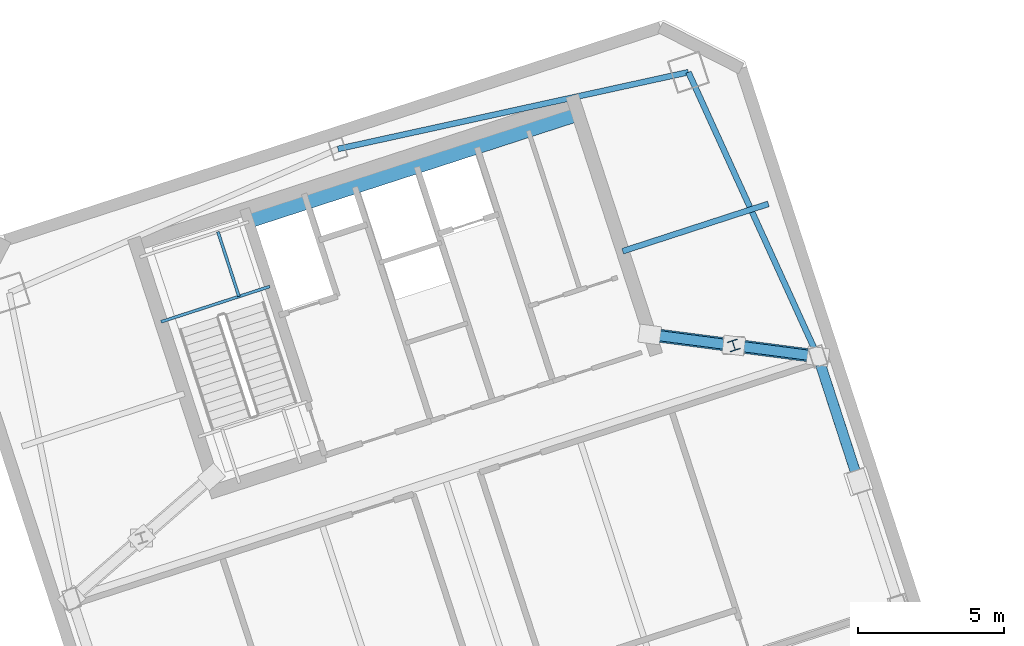
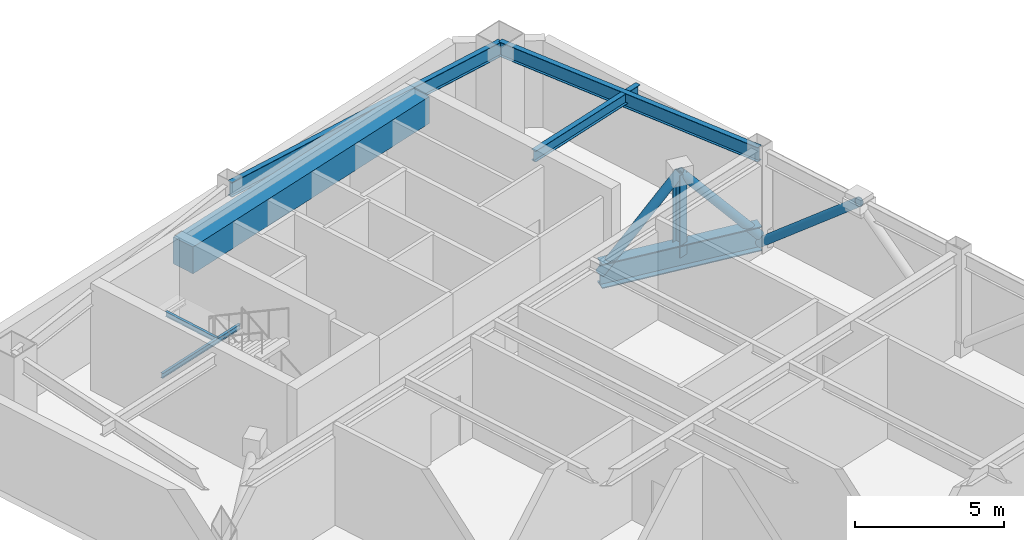
# One storey, part 8 of 17: 7 beams, 4 members.
"""IFC4 building model written with IfcOpenShell, lengths in metres."""

from ifc_helpers import new_model, si_unit, direction, frame, origin, origin_2d, place, context, subcontext, project, spatial, rectangle, hollow_circle, i_section, extrude, material, material_profile, profile_set, type_object, element, save


model = new_model("IFC4")

# Units and contexts
model_context = context("Model", 3, precision=1e-05, world=origin(), true_north=direction((0.0, 1.0)))
body_context = subcontext(model_context, "Body", "Model", "MODEL_VIEW")
ifc_project = project(units=[si_unit("LENGTHUNIT", "METRE"), si_unit("AREAUNIT", "SQUARE_METRE"), si_unit("VOLUMEUNIT", "CUBIC_METRE"), si_unit("PLANEANGLEUNIT", "RADIAN"), si_unit("MASSUNIT", "GRAM", prefix="KILO")], contexts=[model_context])

# Site, building, storey
site_placement = place(None, origin())
site = spatial("IfcSite", under=ifc_project, at=site_placement, CompositionType="ELEMENT")
building_placement = place(site_placement, origin())
building = spatial("IfcBuilding", under=site, at=building_placement, Name="Qiaolan Cultural Towers", CompositionType="ELEMENT")
storey_placement = place(building_placement, frame((0.0, 0.0, 230.0)))
storey = spatial("IfcBuildingStorey", under=building, at=storey_placement, Name="L62", CompositionType="ELEMENT", Elevation=230.0)

# Beams
ifc_material_1 = material(Name="Steel Q390GJB", Category="steel")
ifc_material_profile_1 = material_profile(ifc_material_1, i_section(OverallWidth=0.449951171875, OverallDepth=1.0, WebThickness=0.02392578125, FlangeThickness=0.0400390625, at=origin_2d()), Name="BH1000x450x24x40")
ifc_profile_set_1 = profile_set([ifc_material_profile_1], Name="Steel Q390GJB")
beam_type_1 = type_object("IfcBeamType", Name="BM-BH1000x450x24x40", PredefinedType="BEAM", material=ifc_profile_set_1)
beam_1_placement = place(storey_placement, frame((94.244873046875, 47.47119140625, 0.5), z_axis=(0.991526737582, -0.129902766179, 0.0), x_axis=(0.129902766179, 0.991526737582, 0.0)))
element("IfcBeam", 1, at=beam_1_placement, inside=storey, type_object=beam_type_1, Name="L62 T2 Outrigger Bottom Chord Girder EN", PredefinedType="BEAM", context=body_context, shape_type="SweptSolid", body=[
    extrude(i_section(OverallWidth=0.449951171875, OverallDepth=1.0, WebThickness=0.02392578125, FlangeThickness=0.0400390625, at=origin_2d()), origin(), (0.0, 0.0, 1.0), 5.81494140625),
])
ifc_material_2 = material(Name="Steel Q355B", Category="steel")
ifc_material_profile_2 = material_profile(ifc_material_2, i_section(OverallWidth=0.199951171875, OverallDepth=0.449951171875, WebThickness=0.009033203125, FlangeThickness=0.013916015625, at=origin_2d()), Name="HN450x200x9x14")
ifc_profile_set_2 = profile_set([ifc_material_profile_2], Name="Steel Q355B")
beam_type_2 = type_object("IfcBeamType", Name="BM-LNT-HN450x200x9x14", PredefinedType="LINTEL", material=ifc_profile_set_2)
beam_2_placement = place(storey_placement, frame((93.31787109375, 50.32421875, 3.9150390625), z_axis=(0.951060037126, 0.309006158161, 0.0), x_axis=(-0.309006158161, 0.951060037126, 0.0)))
element("IfcBeam", 2, at=beam_2_placement, inside=storey, type_object=beam_type_2, Name="L62 T2 Core Flank Tie Lintel EN", PredefinedType="LINTEL", context=body_context, shape_type="SweptSolid", body=[
    extrude(i_section(OverallWidth=0.199951171875, OverallDepth=0.449951171875, WebThickness=0.009033203125, FlangeThickness=0.013916015625, at=origin_2d()), origin(), (0.0, 0.0, 1.0), 5.25),
])
ifc_material_3 = material(Name="Concrete C50", Category="concrete")
ifc_material_profile_3 = material_profile(ifc_material_3, rectangle(XDim=0.89990234375, YDim=1.10009765625, at=origin_2d()), Name="RC900x1100")
ifc_profile_set_3 = profile_set([ifc_material_profile_3], Name="Concrete C50")
beam_type_3 = type_object("IfcBeamType", Name="BM-RC900x1100", PredefinedType="BEAM", material=ifc_profile_set_3)
beam_3_placement = place(storey_placement, frame((80.427978515625, 51.551025390625, 3.590087890625), z_axis=(0.951056266386, 0.309017763514, 0.0), x_axis=(-0.309017763514, 0.951056266386, 0.0)))
element("IfcBeam", 3, at=beam_3_placement, inside=storey, type_object=beam_type_3, Name="L62 T2 Core Header Girder N", PredefinedType="BEAM", context=body_context, shape_type="SweptSolid", body=[
    extrude(rectangle(XDim=0.89990234375, YDim=1.10009765625, at=origin_2d()), origin(), (0.0, 0.0, 1.0), 11.880126953125),
])
ifc_material_4 = material(Name="Steel Q355B", Category="steel")
ifc_material_profile_4 = material_profile(ifc_material_4, i_section(OverallWidth=0.199951171875, OverallDepth=0.60009765625, WebThickness=0.010986328125, FlangeThickness=0.01708984375, at=origin_2d()), Name="HN600x200x11x17")
ifc_profile_set_4 = profile_set([ifc_material_profile_4], Name="Steel Q355B")
beam_type_4 = type_object("IfcBeamType", Name="BM-SPD-HN600x200x11x17", PredefinedType="SPANDREL", material=ifc_profile_set_4)
beam_4_placement = place(storey_placement, frame((100.010498046875, 46.7158203125, 3.840087890625), z_axis=(-0.414500208282, 0.910049216985, 0.0), x_axis=(-0.910049216985, -0.414500208282, 0.0)))
element("IfcBeam", 4, at=beam_4_placement, inside=storey, type_object=beam_type_4, Name="L62 T2 Perimeter Spandrel Beam 6", PredefinedType="SPANDREL", context=body_context, shape_type="SweptSolid", body=[
    extrude(i_section(OverallWidth=0.199951171875, OverallDepth=0.60009765625, WebThickness=0.010986328125, FlangeThickness=0.01708984375, at=origin_2d()), origin(), (0.0, 0.0, 1.0), 10.70849609375),
])
beam_5_placement = place(storey_placement, frame((95.57177734375, 56.461181640625, 3.840087890625), z_axis=(-0.976843395078, -0.213955559619, 0.0), x_axis=(0.213955559619, -0.976843395078, 0.0)))
element("IfcBeam", 5, at=beam_5_placement, inside=storey, type_object=beam_type_4, Name="L62 T2 Perimeter Spandrel Beam 7", PredefinedType="SPANDREL", context=body_context, shape_type="SweptSolid", body=[
    extrude(i_section(OverallWidth=0.199951171875, OverallDepth=0.60009765625, WebThickness=0.010986328125, FlangeThickness=0.01708984375, at=origin_2d()), origin(), (0.0, 0.0, 1.0), 12.2998046875),
])
ifc_material_5 = material(Name="Steel Q355B", Category="steel")
ifc_material_profile_5 = material_profile(ifc_material_5, i_section(OverallWidth=0.10009765625, OverallDepth=0.199951171875, WebThickness=0.005615234375, FlangeThickness=0.008056640625, at=origin_2d()), Name="HN200x100x5.5x8")
ifc_profile_set_5 = profile_set([ifc_material_profile_5], Name="Steel Q355B")
beam_type_5 = type_object("IfcBeamType", Name="BM-STTRIM-200", PredefinedType="BEAM", material=ifc_profile_set_5)
beam_6_placement = place(storey_placement, frame((77.4912109375, 47.90380859375, 1.89990234375), z_axis=(0.951053746643, 0.309025518358, 0.0), x_axis=(-0.309025518358, 0.951053746643, 0.0)))
element("IfcBeam", 6, at=beam_6_placement, inside=storey, type_object=beam_type_5, Name="L62 ST-E2 Stair Landing Support Beam 1-1", PredefinedType="BEAM", context=body_context, shape_type="SweptSolid", body=[
    extrude(i_section(OverallWidth=0.10009765625, OverallDepth=0.199951171875, WebThickness=0.005615234375, FlangeThickness=0.008056640625, at=origin_2d()), origin(), (0.0, 0.0, 1.0), 3.920166015625),
])
beam_7_placement = place(storey_placement, frame((80.163818359375, 48.772216796875, 1.89990234375), z_axis=(-0.30905528694, 0.951044073434, 0.0), x_axis=(-0.951044073434, -0.30905528694, 0.0)))
element("IfcBeam", 7, at=beam_7_placement, inside=storey, type_object=beam_type_5, Name="L62 ST-E2 Stair Landing Trimmer 1", PredefinedType="BEAM", context=body_context, shape_type="SweptSolid", body=[
    extrude(i_section(OverallWidth=0.10009765625, OverallDepth=0.199951171875, WebThickness=0.005615234375, FlangeThickness=0.008056640625, at=origin_2d()), origin(), (0.0, 0.0, 1.0), 2.3310546875),
])

# Members
ifc_material_6 = material(Name="Steel Q355B", Category="steel")
ifc_material_profile_6 = material_profile(ifc_material_6, hollow_circle(Radius=0.175537109375, WallThickness=0.01611328125, at=origin_2d()), Name="CHS351x16")
ifc_profile_set_6 = profile_set([ifc_material_profile_6], Name="Steel Q355B")
member_type_1 = type_object("IfcMemberType", Name="MBR-BRC-CHS351x16", PredefinedType="BRACE", material=ifc_profile_set_6)
for number, where, z_axis, x_axis, name in (
    (8, (94.244873046875, 47.47119140625, 0.5), (0.646610100122, -0.084714246688, 0.758102153294), (0.129902766179, 0.991526737582, 0.0), "L62 T2 Outrigger Truss Diagonal EN-1"),
    (9, (97.127685546875, 47.093505859375, 3.8798828125), (0.646610100122, -0.084714246688, -0.758102153294), (0.129902766179, 0.991526737582, 0.0), "L62 T2 Outrigger Truss Diagonal EN-2"),
):
    element("IfcMember", number, at=place(storey_placement, frame(where, z_axis=z_axis, x_axis=x_axis)), inside=storey, type_object=member_type_1, Name=name, PredefinedType="BRACE", context=body_context, shape_type="SweptSolid", body=[
        extrude(hollow_circle(Radius=0.175537109375, WallThickness=0.01611328125, at=origin_2d()), origin(), (0.0, 0.0, 1.0), 4.458251953125),
    ])
member_1_placement = place(storey_placement, frame((101.401123046875, 42.43603515625, 3.97998046875), z_axis=(-0.236621947773, 0.728227307666, -0.643191295185), x_axis=(-0.951054001411, -0.309024734286, 0.0)))
element("IfcMember", 10, at=member_1_placement, inside=storey, type_object=member_type_1, Name="L62 T2 Perimeter Belt Truss E2-B", PredefinedType="BRACE", context=body_context, shape_type="SweptSolid", body=[
    extrude(hollow_circle(Radius=0.175537109375, WallThickness=0.01611328125, at=origin_2d()), origin(), (0.0, 0.0, 1.0), 5.876953125),
])
ifc_material_7 = material(Name="Steel Q355B", Category="steel")
ifc_material_profile_7 = material_profile(ifc_material_7, i_section(OverallWidth=0.35009765625, OverallDepth=0.35009765625, WebThickness=0.011962890625, FlangeThickness=0.01904296875, at=origin_2d()), Name="HW350x350x12x19")
ifc_profile_set_7 = profile_set([ifc_material_profile_7], Name="Steel Q355B")
member_type_2 = type_object("IfcMemberType", Name="MBR-POST-HW350x350x12x19", PredefinedType="STUD", material=ifc_profile_set_7)
member_2_placement = place(storey_placement, frame((97.127685546875, 47.093505859375, 0.5), z_axis=(0.0, 0.0, 1.0), x_axis=(0.951056516295, 0.309016994375, 0.0)))
element("IfcMember", 11, at=member_2_placement, inside=storey, type_object=member_type_2, Name="L62 T2 Outrigger King Web EN", PredefinedType="STUD", context=body_context, shape_type="SweptSolid", body=[
    extrude(i_section(OverallWidth=0.35009765625, OverallDepth=0.35009765625, WebThickness=0.011962890625, FlangeThickness=0.01904296875, at=origin_2d()), origin(), (0.0, 0.0, 1.0), 3.3798828125),
])

save(model, "model.ifc")
